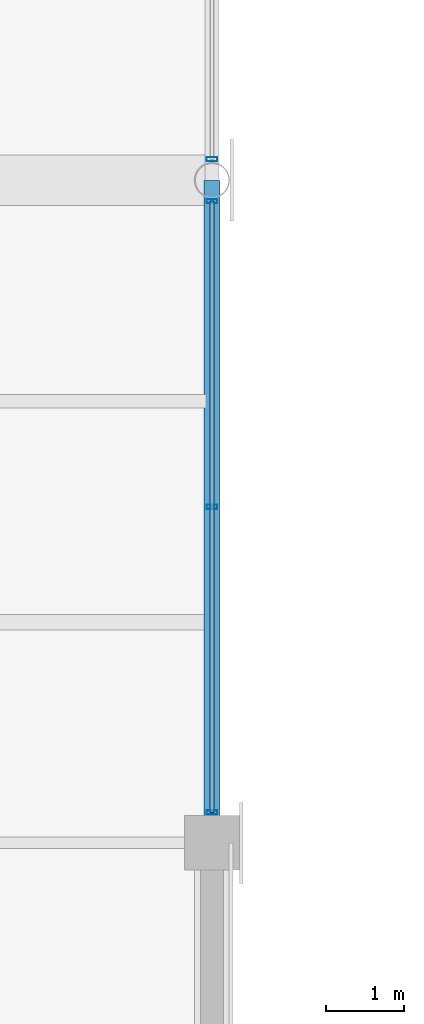
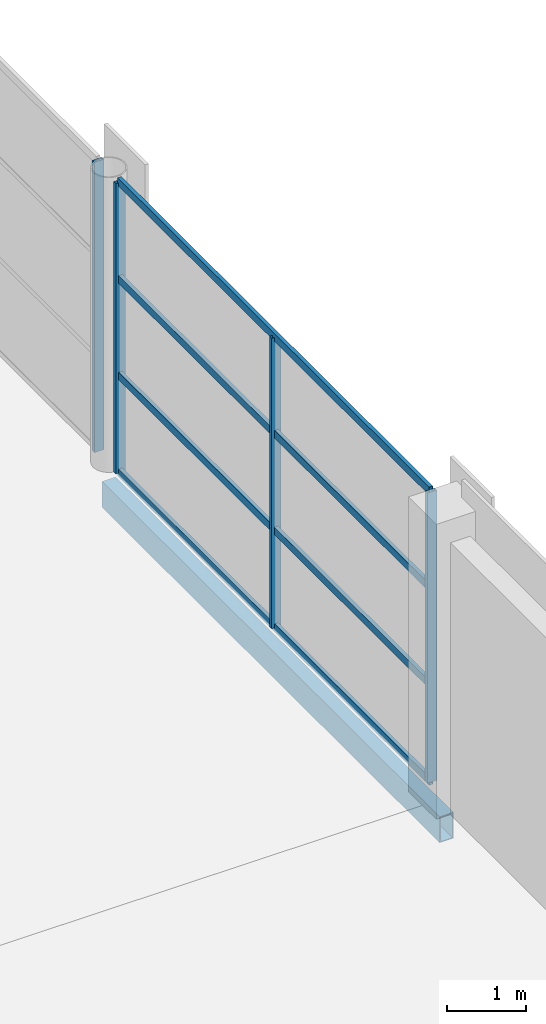
# One storey, part 41 of 112: 8 members, 1 beam, 2 elements without a shape of their own.
"""IFC4 building model written with IfcOpenShell, lengths in metres."""

from ifc_helpers import new_model, si_unit, direction, frame, origin, origin_2d, place, context, subcontext, project, spatial, hollow_rectangle, extrude, material, material_profile, profile_set, type_object, element, aggregate, save


model = new_model("IFC4")

# Units and contexts
model_context = context("Model", 3, precision=1e-05, world=origin(), true_north=direction((0.0, 1.0)))
body_context = subcontext(model_context, "Body", "Model", "MODEL_VIEW")
ifc_project = project(units=[si_unit("LENGTHUNIT", "METRE"), si_unit("AREAUNIT", "SQUARE_METRE"), si_unit("VOLUMEUNIT", "CUBIC_METRE"), si_unit("PLANEANGLEUNIT", "RADIAN"), si_unit("MASSUNIT", "GRAM", prefix="KILO")], contexts=[model_context])

# Site, building, storey
site_placement = place(None, origin())
site = spatial("IfcSite", under=ifc_project, at=site_placement, CompositionType="ELEMENT")
building_placement = place(site_placement, origin())
building = spatial("IfcBuilding", under=site, at=building_placement, Name="Solvikara Media Centre", CompositionType="ELEMENT")
storey_placement = place(building_placement, frame((0.0, 0.0, 5.39990234375)))
storey = spatial("IfcBuildingStorey", under=building, at=storey_placement, Name="L01", CompositionType="ELEMENT", Elevation=5.39990234375)

# Beam
ifc_material_1 = material(Name="Steel S355JR", Category="steel")
ifc_material_profile_1 = material_profile(ifc_material_1, hollow_rectangle(XDim=0.199951171875, YDim=0.39990234375, WallThickness=0.011962890625, at=origin_2d()), Name="RHS 400x200x12")
ifc_profile_set_1 = profile_set([ifc_material_profile_1], Name="Steel S355JR")
beam_type = type_object("IfcBeamType", Name="BM-33", PredefinedType="SPANDREL", material=ifc_profile_set_1)
beam_placement = place(storey_placement, frame((34.0, 80.5, -0.4619140625), z_axis=(0.0, 1.0, 0.0), x_axis=(-1.0, 0.0, 0.0)))
element("IfcBeam", 1, at=beam_placement, inside=storey, type_object=beam_type, Name="B-L01-Y0579", PredefinedType="SPANDREL", context=body_context, shape_type="SweptSolid", body=[
    extrude(hollow_rectangle(XDim=0.199951171875, YDim=0.39990234375, WallThickness=0.011962890625, at=origin_2d()), origin(), (0.0, 0.0, 1.0), 8.5),
])

# Curtain wall, members
ifc_material_2 = material(Name="Anodised aluminium EN AW-6063", Category="aluminium")
curtain_wall_type = type_object("IfcCurtainWallType", Name="CW-08", PredefinedType="NOTDEFINED", material=ifc_material_2)
curtain_wall_1_placement = place(storey_placement, origin())
curtain_wall_1 = element("IfcCurtainWall", 2, at=curtain_wall_1_placement, inside=storey, type_object=curtain_wall_type, Name="CW-L01-V3E-S1", PredefinedType="NOTDEFINED")
ifc_material_profile_2 = material_profile(ifc_material_2, hollow_rectangle(XDim=0.054931640625, YDim=0.139892578125, WallThickness=0.0029296875, at=origin_2d()), Name="ALU-M 55x140x3")
ifc_profile_set_2 = profile_set([ifc_material_profile_2], Name="Anodised aluminium EN AW-6063")
member_type_1 = type_object("IfcMemberType", Name="MF-05", PredefinedType="MULLION", material=ifc_profile_set_2)
member_1_placement = place(storey_placement, frame((34.0, 80.889892578125, 0.02001953125), z_axis=(0.0, 0.0, 1.0), x_axis=(0.0, 1.0, 0.0)))
member_1 = element("IfcMember", 3, at=member_1_placement, type_object=member_type_1, Name="CW-L01-V3E-S1-M00", PredefinedType="MULLION", context=body_context, shape_type="SweptSolid", body=[
    extrude(hollow_rectangle(XDim=0.054931640625, YDim=0.139892578125, WallThickness=0.0029296875, at=origin_2d()), origin(), (0.0, 0.0, 1.0), 4.4599609375),
])
member_2_placement = place(storey_placement, frame((34.0, 84.81005859375, 0.02001953125), z_axis=(0.0, 0.0, 1.0), x_axis=(0.0, 1.0, 0.0)))
member_2 = element("IfcMember", 4, at=member_2_placement, type_object=member_type_1, Name="CW-L01-V3E-S1-M01", PredefinedType="MULLION", context=body_context, shape_type="SweptSolid", body=[
    extrude(hollow_rectangle(XDim=0.054931640625, YDim=0.139892578125, WallThickness=0.0029296875, at=origin_2d()), origin(), (0.0, 0.0, 1.0), 4.4599609375),
])
member_3_placement = place(storey_placement, frame((34.0, 88.73095703125, 0.02001953125), z_axis=(0.0, 0.0, 1.0), x_axis=(0.0, 1.0, 0.0)))
member_3 = element("IfcMember", 5, at=member_3_placement, type_object=member_type_1, Name="CW-L01-V3E-S1-M02", PredefinedType="MULLION", context=body_context, shape_type="SweptSolid", body=[
    extrude(hollow_rectangle(XDim=0.054931640625, YDim=0.139892578125, WallThickness=0.0029296875, at=origin_2d()), origin(), (0.0, 0.0, 1.0), 4.4599609375),
])

# Curtain wall, member
curtain_wall_2_placement = place(storey_placement, origin())
curtain_wall_2 = element("IfcCurtainWall", 6, at=curtain_wall_2_placement, inside=storey, type_object=curtain_wall_type, Name="CW-L01-V3E-S2", PredefinedType="NOTDEFINED")
member_4_placement = place(storey_placement, frame((34.0, 89.26904296875, 0.02001953125), z_axis=(0.0, 0.0, 1.0), x_axis=(0.0, 1.0, 0.0)))
member_4 = element("IfcMember", 7, at=member_4_placement, type_object=member_type_1, Name="CW-L01-V3E-S2-M00", PredefinedType="MULLION", context=body_context, shape_type="SweptSolid", body=[
    extrude(hollow_rectangle(XDim=0.054931640625, YDim=0.139892578125, WallThickness=0.0029296875, at=origin_2d()), origin(), (0.0, 0.0, 1.0), 4.4599609375),
])
aggregate(curtain_wall_2, [member_4])

# Member
ifc_material_profile_3 = material_profile(ifc_material_2, hollow_rectangle(XDim=0.054931640625, YDim=0.1201171875, WallThickness=0.0029296875, at=origin_2d()), Name="ALU-T 55x120x3")
ifc_profile_set_3 = profile_set([ifc_material_profile_3], Name="Anodised aluminium EN AW-6063")
member_type_2 = type_object("IfcMemberType", Name="MF-11", PredefinedType="USERDEFINED", material=ifc_profile_set_3)
member_5_placement = place(storey_placement, frame((34.0, 80.889892578125, 0.02001953125), z_axis=(0.0, 1.0, 0.0), x_axis=(-1.0, 0.0, 0.0)))
member_5 = element("IfcMember", 8, at=member_5_placement, type_object=member_type_2, Name="CW-L01-V3E-S1-T00", ObjectType="TRANSOM", PredefinedType="USERDEFINED", context=body_context, shape_type="SweptSolid", body=[
    extrude(hollow_rectangle(XDim=0.054931640625, YDim=0.1201171875, WallThickness=0.0029296875, at=origin_2d()), origin(), (0.0, 0.0, 1.0), 7.841064453125),
])

member_6_placement = place(storey_placement, frame((34.0, 80.889892578125, 1.507080078125), z_axis=(0.0, 1.0, 0.0), x_axis=(-1.0, 0.0, 0.0)))
member_6 = element("IfcMember", 9, at=member_6_placement, type_object=member_type_2, Name="CW-L01-V3E-S1-T01", ObjectType="TRANSOM", PredefinedType="USERDEFINED", context=body_context, shape_type="SweptSolid", body=[
    extrude(hollow_rectangle(XDim=0.054931640625, YDim=0.1201171875, WallThickness=0.0029296875, at=origin_2d()), origin(), (0.0, 0.0, 1.0), 7.841064453125),
])

member_7_placement = place(storey_placement, frame((34.0, 80.889892578125, 2.9931640625), z_axis=(0.0, 1.0, 0.0), x_axis=(-1.0, 0.0, 0.0)))
member_7 = element("IfcMember", 10, at=member_7_placement, type_object=member_type_2, Name="CW-L01-V3E-S1-T02", ObjectType="TRANSOM", PredefinedType="USERDEFINED", context=body_context, shape_type="SweptSolid", body=[
    extrude(hollow_rectangle(XDim=0.054931640625, YDim=0.1201171875, WallThickness=0.0029296875, at=origin_2d()), origin(), (0.0, 0.0, 1.0), 7.841064453125),
])

member_8_placement = place(storey_placement, frame((34.0, 80.889892578125, 4.47998046875), z_axis=(0.0, 1.0, 0.0), x_axis=(-1.0, 0.0, 0.0)))
member_8 = element("IfcMember", 11, at=member_8_placement, type_object=member_type_2, Name="CW-L01-V3E-S1-T03", ObjectType="TRANSOM", PredefinedType="USERDEFINED", context=body_context, shape_type="SweptSolid", body=[
    extrude(hollow_rectangle(XDim=0.054931640625, YDim=0.1201171875, WallThickness=0.0029296875, at=origin_2d()), origin(), (0.0, 0.0, 1.0), 7.841064453125),
])

aggregate(curtain_wall_1, [member_1, member_2, member_3, member_5, member_6, member_7, member_8])

save(model, "model.ifc")
